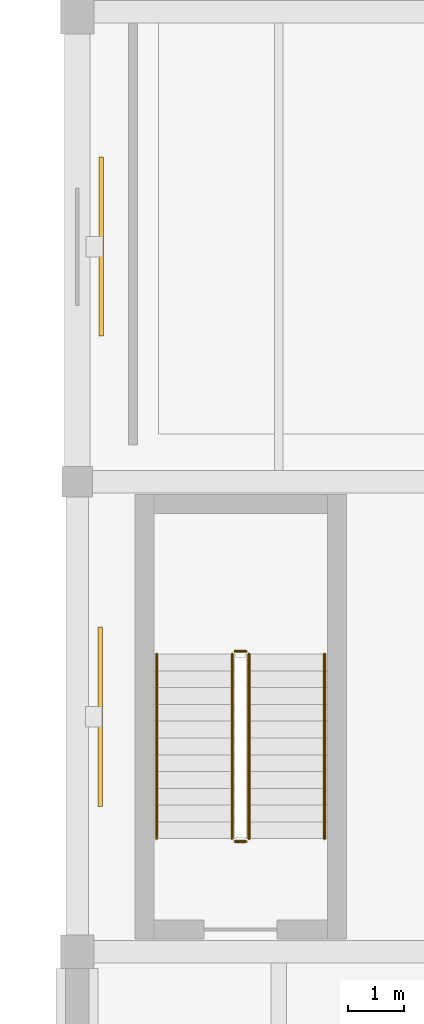
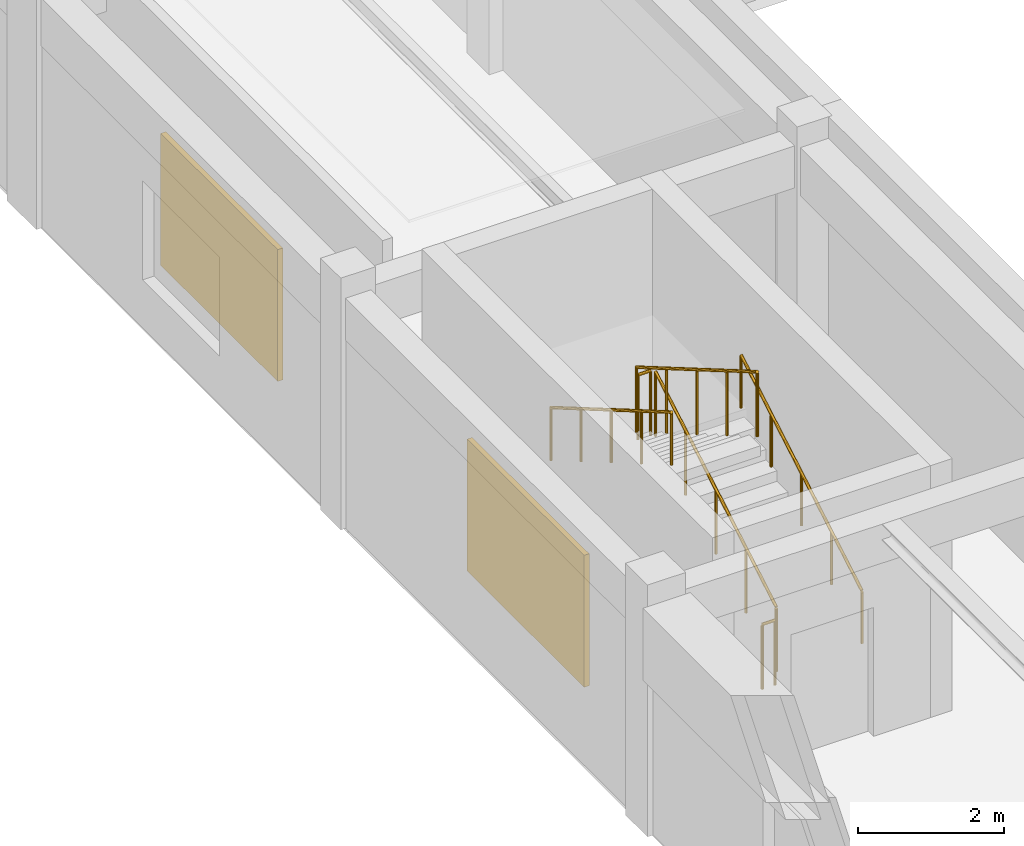
# One storey, part 61 of 71: 6 railings, 2 shading devices.
"""IFC4 building model written with IfcOpenShell, lengths in metres."""

from ifc_helpers import new_model, si_unit, direction, frame, origin, origin_2d, place, context, subcontext, project, spatial, rectangle, circle, extrude, material, layer, layer_set, type_object, element, save


model = new_model("IFC4")

# Units and contexts
model_context = context("Model", 3, precision=1e-05, world=origin(), true_north=direction((0.0, 1.0)))
body_context = subcontext(model_context, "Body", "Model", "MODEL_VIEW")
ifc_project = project(units=[si_unit("LENGTHUNIT", "METRE"), si_unit("AREAUNIT", "SQUARE_METRE"), si_unit("VOLUMEUNIT", "CUBIC_METRE"), si_unit("PLANEANGLEUNIT", "RADIAN"), si_unit("MASSUNIT", "GRAM", prefix="KILO")], contexts=[model_context])

# Site, building, storey
site_placement = place(None, origin())
site = spatial("IfcSite", under=ifc_project, at=site_placement, CompositionType="ELEMENT")
building_placement = place(site_placement, origin())
building = spatial("IfcBuilding", under=site, at=building_placement, Name="Korsvaeld Concert Hall", CompositionType="ELEMENT")
storey_placement = place(building_placement, frame((0.0, 0.0, 4.800048828125)))
storey = spatial("IfcBuildingStorey", under=building, at=storey_placement, Name="L01", CompositionType="ELEMENT", Elevation=4.800048828125)

# Railings
ifc_material_1 = material(Name="Powder-coated steel and bronze stair guardrail", Category="steel")
railing_type_1 = type_object("IfcRailingType", Name="RL-STAIR-GUARD-120", PredefinedType="GUARDRAIL", material=ifc_material_1)
railing_1_placement = place(storey_placement, frame((17.469970703125, 53.6201171875, 0.175048828125)))
element("IfcRailing", 1, at=railing_1_placement, inside=storey, type_object=railing_type_1, Name="L01 ST-F3 stair guard 1", PredefinedType="GUARDRAIL", context=body_context, shape_type="SweptSolid", body=[
    extrude(circle(Radius=0.02392578125, at=origin_2d()), frame((0.0, 0.0, 1.076171875), z_axis=(0.0, 0.863788172461, 0.503855131081), x_axis=(-1.0, 0.0, 0.0)), (0.0, 0.0, 1.0), 3.820068359375),
    extrude(circle(Radius=0.02099609375, at=origin_2d()), origin(), (0.0, 0.0, 1.0), 1.052001953125),
    extrude(circle(Radius=0.02099609375, at=origin_2d()), frame((0.0, 0.824951171875, 0.481201171875)), (0.0, 0.0, 1.0), 1.052001953125),
    extrude(circle(Radius=0.02099609375, at=origin_2d()), frame((0.0, 1.64990234375, 0.96240234375)), (0.0, 0.0, 1.0), 1.052001953125),
    extrude(circle(Radius=0.02099609375, at=origin_2d()), frame((0.0, 2.474853515625, 1.443603515625)), (0.0, 0.0, 1.0), 1.052001953125),
    extrude(circle(Radius=0.02099609375, at=origin_2d()), frame((0.0, 3.2998046875, 1.9248046875)), (0.0, 0.0, 1.0), 1.052001953125),
])
railing_2_placement = place(storey_placement, frame((17.419921875, 56.969970703125, 2.099853515625)))
element("IfcRailing", 2, at=railing_2_placement, inside=storey, type_object=railing_type_1, Name="L01 ST-F3 stair guard 2", PredefinedType="GUARDRAIL", context=body_context, shape_type="SweptSolid", body=[
    extrude(circle(Radius=0.02392578125, at=origin_2d()), frame((0.0, 0.0, 1.076171875), z_axis=(-1.0, 0.0, 0.0), x_axis=(0.0, -1.0, 0.0)), (0.0, 0.0, 1.0), 0.199951171875),
    extrude(circle(Radius=0.02099609375, at=origin_2d()), origin(), (0.0, 0.0, 1.0), 1.052001953125),
    extrude(circle(Radius=0.02099609375, at=origin_2d()), frame((-0.199951171875, 0.0, 0.0)), (0.0, 0.0, 1.0), 1.052001953125),
])
railing_3_placement = place(storey_placement, frame((17.169921875, 56.919921875, 2.27490234375)))
element("IfcRailing", 3, at=railing_3_placement, inside=storey, type_object=railing_type_1, Name="L01 ST-F3 stair guard 3", PredefinedType="GUARDRAIL", context=body_context, shape_type="SweptSolid", body=[
    extrude(circle(Radius=0.02392578125, at=origin_2d()), frame((0.0, 0.0, 1.076171875), z_axis=(0.0, -0.863760357493, 0.503902812876), x_axis=(1.0, 0.0, 0.0)), (0.0, 0.0, 1.0), 3.8203125),
    extrude(circle(Radius=0.02099609375, at=origin_2d()), origin(), (0.0, 0.0, 1.0), 1.052001953125),
    extrude(circle(Radius=0.02099609375, at=origin_2d()), frame((0.0, -0.824951171875, 0.481201171875)), (0.0, 0.0, 1.0), 1.052001953125),
    extrude(circle(Radius=0.02099609375, at=origin_2d()), frame((0.0, -1.64990234375, 0.96240234375)), (0.0, 0.0, 1.0), 1.052001953125),
    extrude(circle(Radius=0.02099609375, at=origin_2d()), frame((0.0, -2.474853515625, 1.44384765625)), (0.0, 0.0, 1.0), 1.052001953125),
    extrude(circle(Radius=0.02099609375, at=origin_2d()), frame((0.0, -3.2998046875, 1.925048828125)), (0.0, 0.0, 1.0), 1.052001953125),
])
railing_4_placement = place(storey_placement, frame((17.419921875, 53.570068359375, 0.0)))
element("IfcRailing", 4, at=railing_4_placement, inside=storey, type_object=railing_type_1, Name="L01 ST-F3 stair guard 4", PredefinedType="GUARDRAIL", context=body_context, shape_type="SweptSolid", body=[
    extrude(circle(Radius=0.02392578125, at=origin_2d()), frame((0.0, 0.0, 1.076171875), z_axis=(-1.0, 0.0, 0.0), x_axis=(0.0, -1.0, 0.0)), (0.0, 0.0, 1.0), 0.199951171875),
    extrude(circle(Radius=0.02099609375, at=origin_2d()), origin(), (0.0, 0.0, 1.0), 1.052001953125),
    extrude(circle(Radius=0.02099609375, at=origin_2d()), frame((-0.199951171875, 0.0, 0.0)), (0.0, 0.0, 1.0), 1.052001953125),
])
ifc_material_2 = material(Name="European oak and bronze stair handrail")
railing_type_2 = type_object("IfcRailingType", Name="RL-STAIR-HAND-90", PredefinedType="HANDRAIL", material=ifc_material_2)
railing_5_placement = place(storey_placement, frame((18.820068359375, 53.6201171875, 0.175048828125)))
element("IfcRailing", 5, at=railing_5_placement, inside=storey, type_object=railing_type_2, Name="L01 ST-F3 stair handrail 1", PredefinedType="HANDRAIL", context=body_context, shape_type="SweptSolid", body=[
    extrude(circle(Radius=0.02392578125, at=origin_2d()), frame((0.0, 0.0, 0.8759765625), z_axis=(0.0, 0.863788172461, 0.503855131081), x_axis=(-1.0, 0.0, 0.0)), (0.0, 0.0, 1.0), 3.820068359375),
    extrude(circle(Radius=0.02099609375, at=origin_2d()), origin(), (0.0, 0.0, 1.0), 0.851806640625),
    extrude(circle(Radius=0.02099609375, at=origin_2d()), frame((0.0, 0.824951171875, 0.481201171875)), (0.0, 0.0, 1.0), 0.851806640625),
    extrude(circle(Radius=0.02099609375, at=origin_2d()), frame((0.0, 1.64990234375, 0.96240234375)), (0.0, 0.0, 1.0), 0.851806640625),
    extrude(circle(Radius=0.02099609375, at=origin_2d()), frame((0.0, 2.474853515625, 1.443603515625)), (0.0, 0.0, 1.0), 0.851806640625),
    extrude(circle(Radius=0.02099609375, at=origin_2d()), frame((0.0, 3.2998046875, 1.9248046875)), (0.0, 0.0, 1.0), 0.851806640625),
])
railing_6_placement = place(storey_placement, frame((15.820068359375, 56.919921875, 2.27490234375)))
element("IfcRailing", 6, at=railing_6_placement, inside=storey, type_object=railing_type_2, Name="L01 ST-F3 stair handrail 2", PredefinedType="HANDRAIL", context=body_context, shape_type="SweptSolid", body=[
    extrude(circle(Radius=0.02392578125, at=origin_2d()), frame((0.0, 0.0, 0.8759765625), z_axis=(0.0, -0.863760357493, 0.503902812876), x_axis=(1.0, 0.0, 0.0)), (0.0, 0.0, 1.0), 3.8203125),
    extrude(circle(Radius=0.02099609375, at=origin_2d()), origin(), (0.0, 0.0, 1.0), 0.851806640625),
    extrude(circle(Radius=0.02099609375, at=origin_2d()), frame((0.0, -0.824951171875, 0.481201171875)), (0.0, 0.0, 1.0), 0.851806640625),
    extrude(circle(Radius=0.02099609375, at=origin_2d()), frame((0.0, -1.64990234375, 0.96240234375)), (0.0, 0.0, 1.0), 0.851806640625),
    extrude(circle(Radius=0.02099609375, at=origin_2d()), frame((0.0, -2.474853515625, 1.44384765625)), (0.0, 0.0, 1.0), 0.851806640625),
    extrude(circle(Radius=0.02099609375, at=origin_2d()), frame((0.0, -3.2998046875, 1.925048828125)), (0.0, 0.0, 1.0), 0.851806640625),
])

# Shading devices
ifc_material_3 = material(Name="Anodised architectural bronze pierced jali screen")
ifc_layer = layer(ifc_material_3, 0.080078125)
ifc_layer_set = layer_set([ifc_layer], Name="Anodised architectural bronze pierced jali screen")
shading_device_type = type_object("IfcShadingDeviceType", Name="SHD-JALI-BRONZE", PredefinedType="JALOUSIE", material=ifc_layer_set)
for number, where, z_axis, x_axis, name in (
    (7, (14.81494140625, 55.800048828125, 0.5), (0.0, 0.0, 1.0), (0.0, 1.0, 0.0), "Bronze pierced jali brise-soleil screen L01-03"),
    (8, (14.830078125, 64.199951171875, 0.5), (0.0, 0.0, 1.0), (0.0, 1.0, 0.0), "Bronze pierced jali brise-soleil screen L01-04"),
):
    element("IfcShadingDevice", number, at=place(storey_placement, frame(where, z_axis=z_axis, x_axis=x_axis)), inside=storey, type_object=shading_device_type, Name=name, PredefinedType="JALOUSIE", context=body_context, shape_type="SweptSolid", body=[
        extrude(rectangle(XDim=3.199951171875, YDim=0.080078125, at=origin_2d()), origin(), (0.0, 0.0, 1.0), 2.199951171875),
    ])

save(model, "model.ifc")
